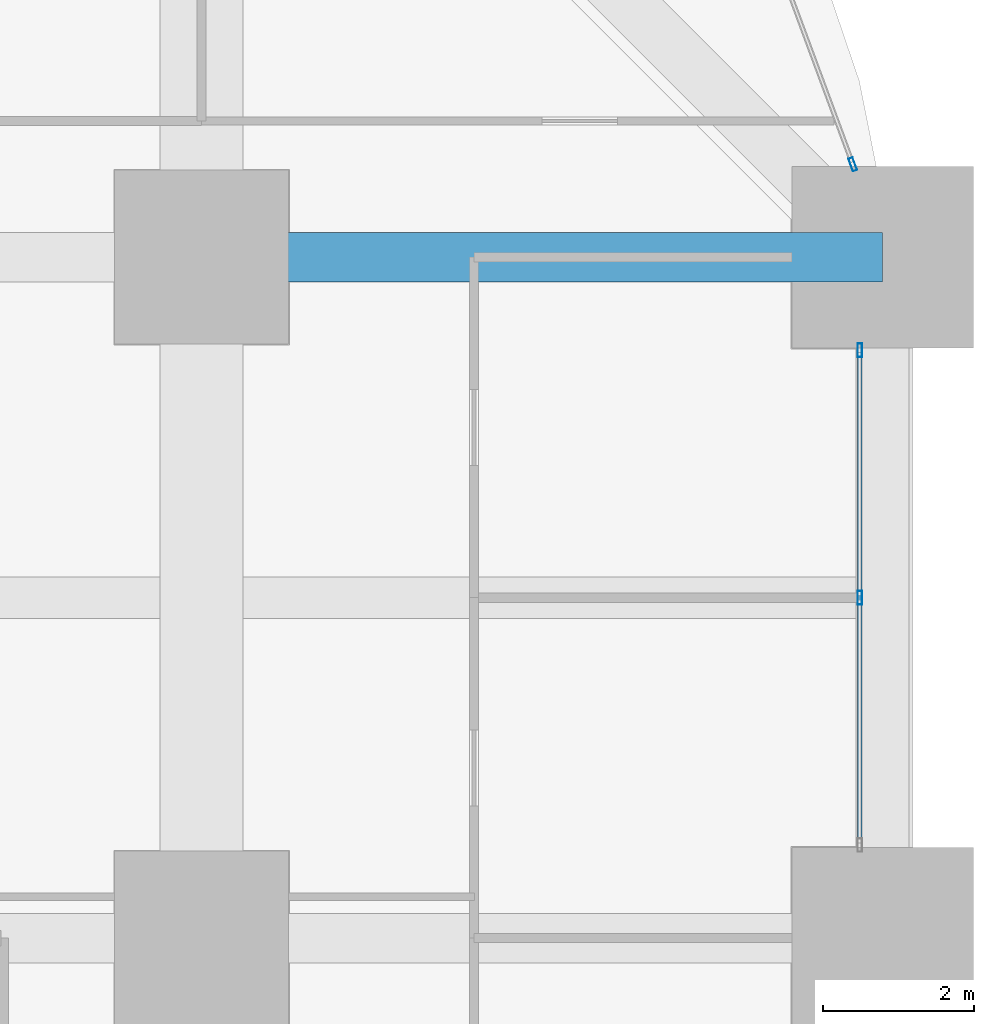
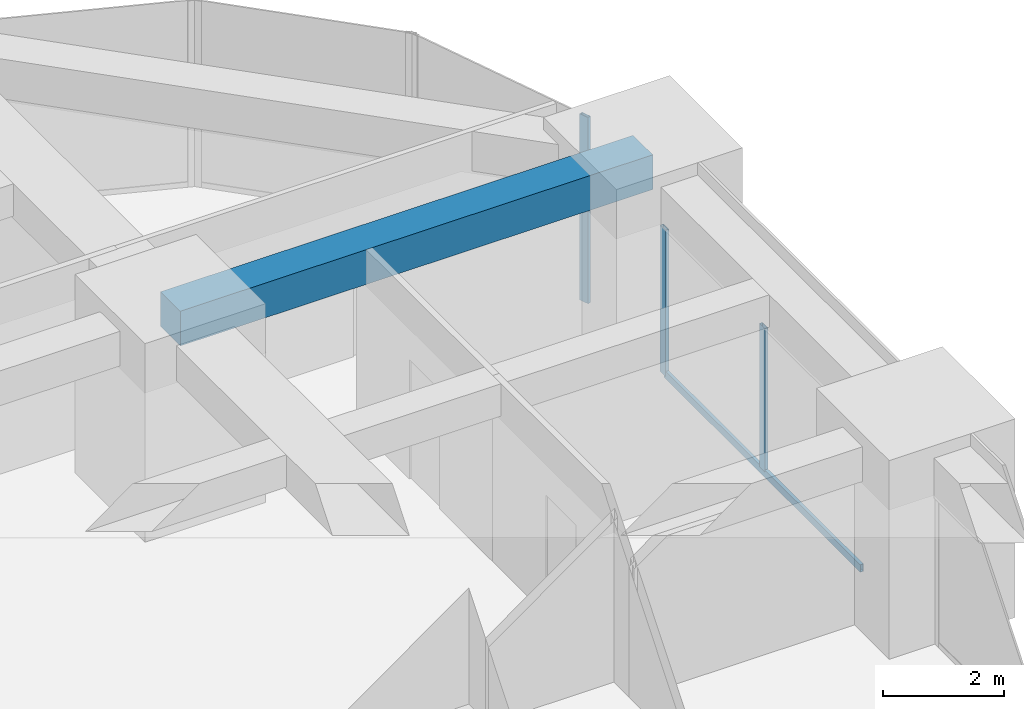
# One storey, part 34 of 45: 4 members, 1 beam, 2 elements without a shape of their own.
"""IFC4 building model written with IfcOpenShell, lengths in metres."""

from ifc_helpers import new_model, si_unit, direction, frame, origin, origin_2d, place, context, subcontext, project, spatial, rectangle, hollow_rectangle, extrude, material, material_profile, profile_set, type_object, element, aggregate, save


model = new_model("IFC4")

# Units and contexts
model_context = context("Model", 3, precision=1e-05, world=origin(), true_north=direction((0.0, 1.0)))
body_context = subcontext(model_context, "Body", "Model", "MODEL_VIEW")
ifc_project = project(units=[si_unit("LENGTHUNIT", "METRE"), si_unit("AREAUNIT", "SQUARE_METRE"), si_unit("VOLUMEUNIT", "CUBIC_METRE"), si_unit("PLANEANGLEUNIT", "RADIAN"), si_unit("MASSUNIT", "GRAM", prefix="KILO")], contexts=[model_context])

# Site, building, storey
site_placement = place(None, origin())
site = spatial("IfcSite", under=ifc_project, at=site_placement, CompositionType="ELEMENT")
building_placement = place(site_placement, origin())
building = spatial("IfcBuilding", under=site, at=building_placement, Name="Zorevar Civic Tower", CompositionType="ELEMENT")
storey_placement = place(building_placement, frame((0.0, 0.0, 23.800048828125)))
storey = spatial("IfcBuildingStorey", under=building, at=storey_placement, Name="L05", CompositionType="ELEMENT", Elevation=23.800048828125)

# Beam
ifc_material_1 = material(Name="Concrete C50/60", Category="concrete")
ifc_material_profile_1 = material_profile(ifc_material_1, rectangle(XDim=0.64990234375, YDim=0.699951171875, at=origin_2d()), Name="RC 650x700")
ifc_profile_set_1 = profile_set([ifc_material_profile_1], Name="Concrete C50/60")
beam_type = type_object("IfcBeamType", Name="Beam RC 650x700", PredefinedType="BEAM", material=ifc_profile_set_1)
beam_placement = place(storey_placement, frame((54.0, 45.0, 3.39990234375), z_axis=(1.0, 0.0, 0.0), x_axis=(0.0, 1.0, 0.0)))
element("IfcBeam", 1, at=beam_placement, inside=storey, type_object=beam_type, Name="Girder L06", PredefinedType="BEAM", context=body_context, shape_type="SweptSolid", body=[
    extrude(rectangle(XDim=0.64990234375, YDim=0.699951171875, at=origin_2d()), origin(), (0.0, 0.0, 1.0), 9.0),
])

# Curtain wall, members
ifc_material_2 = material(Name="Dark grey solar-control glass in black aluminium frame", Category="aluminium")
curtain_wall_type = type_object("IfcCurtainWallType", Name="Curtain wall CW2 low zone", PredefinedType="NOTDEFINED", material=ifc_material_2)
curtain_wall_1_placement = place(storey_placement, origin())
curtain_wall_1 = element("IfcCurtainWall", 2, at=curtain_wall_1_placement, inside=storey, type_object=curtain_wall_type, Name="CW2 L05", PredefinedType="NOTDEFINED")
ifc_material_3 = material(Name="Aluminium, black anodised", Category="aluminium")
ifc_material_profile_2 = material_profile(ifc_material_3, hollow_rectangle(XDim=0.06005859375, YDim=0.179931640625, WallThickness=0.00390625, at=origin_2d()), Name="AL 180x60x4")
ifc_profile_set_2 = profile_set([ifc_material_profile_2], Name="Aluminium, black anodised")
member_type_1 = type_object("IfcMemberType", Name="CW2 mullion AL 180x60x4", PredefinedType="MULLION", material=ifc_profile_set_2)
member_1_placement = place(storey_placement, frame((62.699951171875, 40.5, 0.06005859375), z_axis=(0.0, 0.0, 1.0), x_axis=(-1.0, 0.0, 0.0)))
member_1 = element("IfcMember", 3, at=member_1_placement, type_object=member_type_1, Name="CW2 mullion 2", PredefinedType="MULLION", context=body_context, shape_type="SweptSolid", body=[
    extrude(hollow_rectangle(XDim=0.06005859375, YDim=0.179931640625, WallThickness=0.00390625, at=origin_2d()), origin(), (0.0, 0.0, 1.0), 2.889892578125),
])
member_2_placement = place(storey_placement, frame((62.699951171875, 43.77001953125, 0.0), z_axis=(0.0, 0.0, 1.0), x_axis=(-1.0, 0.0, 0.0)))
member_2 = element("IfcMember", 4, at=member_2_placement, type_object=member_type_1, Name="CW2 mullion 3", PredefinedType="MULLION", context=body_context, shape_type="SweptSolid", body=[
    extrude(hollow_rectangle(XDim=0.06005859375, YDim=0.179931640625, WallThickness=0.00390625, at=origin_2d()), origin(), (0.0, 0.0, 1.0), 2.949951171875),
])

# Curtain wall, member
curtain_wall_2_placement = place(storey_placement, origin())
curtain_wall_2 = element("IfcCurtainWall", 5, at=curtain_wall_2_placement, inside=storey, type_object=curtain_wall_type, Name="CW2 L05", PredefinedType="NOTDEFINED")
member_3_placement = place(storey_placement, frame((62.6064453125, 46.22802734375, 0.0), z_axis=(0.0, 0.0, 1.0), x_axis=(-0.937974588163, -0.346704012033, 0.0)))
member_3 = element("IfcMember", 6, at=member_3_placement, type_object=member_type_1, Name="CW2 mullion 1", PredefinedType="MULLION", context=body_context, shape_type="SweptSolid", body=[
    extrude(hollow_rectangle(XDim=0.06005859375, YDim=0.179931640625, WallThickness=0.00390625, at=origin_2d()), origin(), (0.0, 0.0, 1.0), 3.75),
])
aggregate(curtain_wall_2, [member_3])

# Member
ifc_material_4 = material(Name="Aluminium, black anodised", Category="aluminium")
ifc_material_profile_3 = material_profile(ifc_material_4, hollow_rectangle(XDim=0.06005859375, YDim=0.14990234375, WallThickness=0.00390625, at=origin_2d()), Name="AL 150x60x4")
ifc_profile_set_3 = profile_set([ifc_material_profile_3], Name="Aluminium, black anodised")
member_type_2 = type_object("IfcMemberType", Name="CW2 transom AL 150x60x4", PredefinedType="USERDEFINED", material=ifc_profile_set_3)
member_4_placement = place(storey_placement, frame((62.699951171875, 37.260009765625, 0.030029296875), z_axis=(0.0, 1.0, 0.0), x_axis=(-1.0, 0.0, 0.0)))
member_4 = element("IfcMember", 7, at=member_4_placement, type_object=member_type_2, Name="CW2 sill transom", ObjectType="TRANSOM", PredefinedType="USERDEFINED", context=body_context, shape_type="SweptSolid", body=[
    extrude(hollow_rectangle(XDim=0.06005859375, YDim=0.14990234375, WallThickness=0.00390625, at=origin_2d()), origin(), (0.0, 0.0, 1.0), 6.47998046875),
])

aggregate(curtain_wall_1, [member_1, member_2, member_4])

save(model, "model.ifc")
